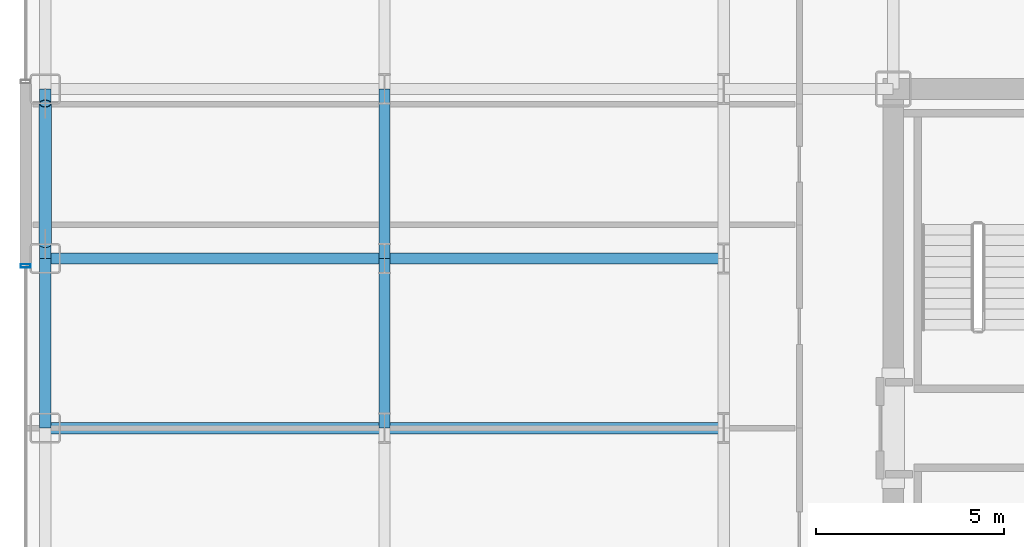
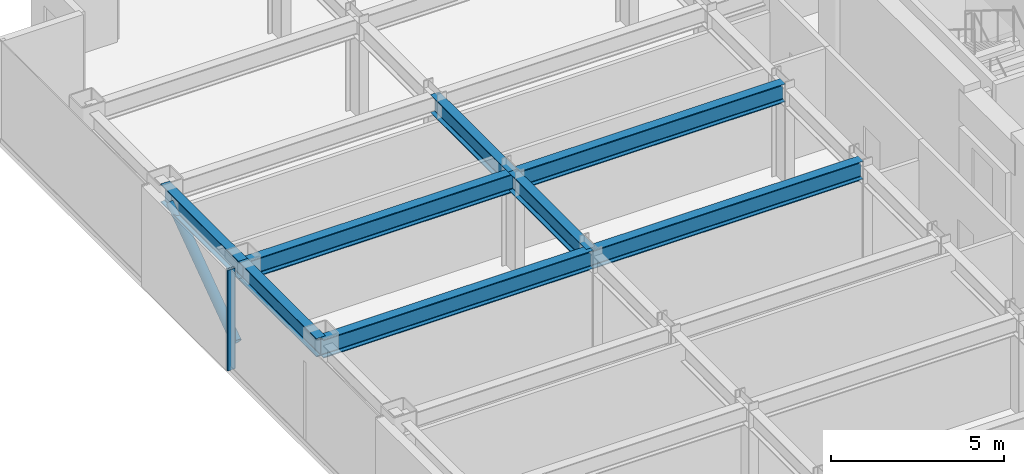
# One storey, part 7 of 27: 8 beams, 2 members, 1 element without a shape of its own.
"""IFC4 building model written with IfcOpenShell, lengths in metres."""

from ifc_helpers import new_model, si_unit, direction, frame, origin, origin_2d, place, context, subcontext, project, spatial, hollow_rectangle, hollow_circle, i_section, extrude, source, transform, mapped, material, layer, layer_set, material_profile, profile_set, type_object, element, aggregate, save


model = new_model("IFC4")

# Units and contexts
model_context = context("Model", 3, precision=1e-05, world=origin(), true_north=direction((0.0, 1.0)))
body_context = subcontext(model_context, "Body", "Model", "MODEL_VIEW")
ifc_project = project(units=[si_unit("LENGTHUNIT", "METRE"), si_unit("AREAUNIT", "SQUARE_METRE"), si_unit("VOLUMEUNIT", "CUBIC_METRE"), si_unit("PLANEANGLEUNIT", "RADIAN"), si_unit("MASSUNIT", "GRAM", prefix="KILO")], contexts=[model_context])

# Site, building, storey
site_placement = place(None, origin())
site = spatial("IfcSite", under=ifc_project, at=site_placement, CompositionType="ELEMENT")
building_placement = place(site_placement, origin())
building = spatial("IfcBuilding", under=site, at=building_placement, Name="Nefas-Gora Pilgrimage Tower", CompositionType="ELEMENT")
storey_placement = place(building_placement, frame((0.0, 0.0, 183.0)))
storey = spatial("IfcBuildingStorey", under=building, at=storey_placement, Name="L45", CompositionType="ELEMENT", Elevation=183.0)

# Beams
ifc_material_1 = material(Name="Steel S355", Category="steel")
ifc_material_profile_1 = material_profile(ifc_material_1, i_section(OverallWidth=0.300048828125, OverallDepth=0.64990234375, WebThickness=0.01611328125, FlangeThickness=0.031005859375, FilletRadius=0.027099609375, at=origin_2d()), Name="HEB 650")
ifc_profile_set_1 = profile_set([ifc_material_profile_1], Name="Steel S355")
beam_type_1 = type_object("IfcBeamType", Name="BM-SPN-HEB500", PredefinedType="SPANDREL", material=ifc_profile_set_1)
shared_shape_1 = source(origin(), body_context, "Body", "SweptSolid", [
    extrude(i_section(OverallWidth=0.300048828125, OverallDepth=0.64990234375, WebThickness=0.01611328125, FlangeThickness=0.031005859375, FilletRadius=0.027099609375, at=origin_2d()), origin(), (0.0, 0.0, 1.0), 4.5),
])
for number, where, z_axis, x_axis, name in (
    (1, (-33.75, 0.0, 3.22509765625), (0.0, 1.0, 0.0), (-1.0, 0.0, 0.0), "L45 SP-02 beam"),
    (2, (-33.75, 4.5, 3.22509765625), (0.0, 1.0, 0.0), (-1.0, 0.0, 0.0), "L45 SP-02 beam"),
):
    element("IfcBeam", number, at=place(storey_placement, frame(where, z_axis=z_axis, x_axis=x_axis)), inside=storey, type_object=beam_type_1, Name=name, PredefinedType="SPANDREL", context=body_context, shape_type="MappedRepresentation", body=[
        mapped(shared_shape_1, transform((0.0, 0.0, 0.0), x_axis=(1.0, 0.0, 0.0), y_axis=(0.0, 1.0, 0.0), z_axis=(0.0, 0.0, 1.0), scale=1.0)),
    ])
ifc_material_profile_2 = material_profile(ifc_material_1, i_section(OverallWidth=0.300048828125, OverallDepth=0.64990234375, WebThickness=0.01611328125, FlangeThickness=0.031005859375, FilletRadius=0.027099609375, at=origin_2d()), Name="HEB 650")
ifc_profile_set_2 = profile_set([ifc_material_profile_2], Name="Steel S355")
beam_type_2 = type_object("IfcBeamType", Name="BM-GIR-HEB650", PredefinedType="BEAM", material=ifc_profile_set_2)
shared_shape_2 = source(origin(), body_context, "Body", "SweptSolid", [
    extrude(i_section(OverallWidth=0.300048828125, OverallDepth=0.64990234375, WebThickness=0.01611328125, FlangeThickness=0.031005859375, FilletRadius=0.027099609375, at=origin_2d()), origin(), (0.0, 0.0, 1.0), 9.0),
])
for number, where, z_axis, x_axis, name in (
    (3, (-33.75, 0.0, 3.22509765625), (1.0, 0.0, 0.0), (0.0, 1.0, 0.0), "L45 G-03 beam"),
    (4, (-33.75, 4.5, 3.22509765625), (1.0, 0.0, 0.0), (0.0, 1.0, 0.0), "L45 G-03 beam"),
    (5, (-24.75, 0.0, 3.22509765625), (1.0, 0.0, 0.0), (0.0, 1.0, 0.0), "L45 G-03 beam"),
    (6, (-24.75, 4.5, 3.22509765625), (1.0, 0.0, 0.0), (0.0, 1.0, 0.0), "L45 G-03 beam"),
):
    element("IfcBeam", number, at=place(storey_placement, frame(where, z_axis=z_axis, x_axis=x_axis)), inside=storey, type_object=beam_type_2, Name=name, PredefinedType="BEAM", context=body_context, shape_type="MappedRepresentation", body=[
        mapped(shared_shape_2, transform((0.0, 0.0, 0.0), x_axis=(1.0, 0.0, 0.0), y_axis=(0.0, 1.0, 0.0), z_axis=(0.0, 0.0, 1.0), scale=1.0)),
    ])
shared_shape_3 = source(origin(), body_context, "Body", "SweptSolid", [
    extrude(i_section(OverallWidth=0.300048828125, OverallDepth=0.64990234375, WebThickness=0.01611328125, FlangeThickness=0.031005859375, FilletRadius=0.027099609375, at=origin_2d()), origin(), (0.0, 0.0, 1.0), 4.5),
])
for number, where, z_axis, x_axis, name in (
    (7, (-24.75, 0.0, 3.22509765625), (0.0, 1.0, 0.0), (-1.0, 0.0, 0.0), "L45 G-03 beam"),
    (8, (-24.75, 4.5, 3.22509765625), (0.0, 1.0, 0.0), (-1.0, 0.0, 0.0), "L45 G-03 beam"),
):
    element("IfcBeam", number, at=place(storey_placement, frame(where, z_axis=z_axis, x_axis=x_axis)), inside=storey, type_object=beam_type_2, Name=name, PredefinedType="BEAM", context=body_context, shape_type="MappedRepresentation", body=[
        mapped(shared_shape_3, transform((0.0, 0.0, 0.0), x_axis=(1.0, 0.0, 0.0), y_axis=(0.0, 1.0, 0.0), z_axis=(0.0, 0.0, 1.0), scale=1.0)),
    ])

# Member
ifc_material_profile_3 = material_profile(ifc_material_1, hollow_circle(Radius=0.161865234375, WallThickness=0.02001953125, at=origin_2d()), Name="CHS 323.9x20")
ifc_profile_set_3 = profile_set([ifc_material_profile_3], Name="Steel S355")
member_type_1 = type_object("IfcMemberType", Name="MEM-TUBE-324", PredefinedType="BRACE", material=ifc_profile_set_3)
shared_shape_4 = source(origin(), body_context, "Body", "SweptSolid", [
    extrude(hollow_circle(Radius=0.161865234375, WallThickness=0.02001953125, at=origin_2d()), origin(), (0.0, 0.0, 1.0), 4.579345703125),
])
member_1_placement = place(storey_placement, frame((-33.75, 4.887939453125, 0.427490234375), z_axis=(0.0, 0.813246879171, 0.581918820385), x_axis=(-1.0, 0.0, 0.0)))
element("IfcMember", 9, at=member_1_placement, inside=storey, type_object=member_type_1, Name="L45 Perimeter Tube Diagonal Brace W2", PredefinedType="BRACE", context=body_context, shape_type="MappedRepresentation", body=[
    mapped(shared_shape_4, transform((0.0, 0.0, 0.0), x_axis=(1.0, 0.0, 0.0), y_axis=(0.0, 1.0, 0.0), z_axis=(0.0, 0.0, 1.0), scale=1.0)),
])

# Curtain wall, member
ifc_material_2 = material(Name="Dark ceramic-fritted solar-control aluminium-glass curtain wall", Category="aluminium")
ifc_layer = layer(ifc_material_2, 0.219970703125)
ifc_layer_set = layer_set([ifc_layer], Name="Dark ceramic-fritted solar-control aluminium-glass curtain wall")
curtain_wall_type = type_object("IfcCurtainWallType", Name="CW-SYS-3", PredefinedType="NOTDEFINED", material=ifc_layer_set)
curtain_wall_placement = place(storey_placement, origin())
curtain_wall = element("IfcCurtainWall", 10, at=curtain_wall_placement, inside=storey, type_object=curtain_wall_type, Name="L45 Unitised Curtain Wall CW3", PredefinedType="NOTDEFINED")
ifc_material_3 = material(Name="Anodised architectural aluminium", Category="aluminium")
ifc_material_profile_4 = material_profile(ifc_material_3, hollow_rectangle(XDim=0.090087890625, YDim=0.260009765625, WallThickness=0.006103515625, InnerFilletRadius=0.006103515625, OuterFilletRadius=0.011962890625, at=origin_2d()), Name="ALU MULLION 90x260")
ifc_profile_set_4 = profile_set([ifc_material_profile_4], Name="Anodised architectural aluminium")
member_type_2 = type_object("IfcMemberType", Name="CWM-MUL-3", PredefinedType="MULLION", material=ifc_profile_set_4)
shared_shape_5 = source(origin(), body_context, "Body", "SweptSolid", [
    extrude(hollow_rectangle(XDim=0.090087890625, YDim=0.260009765625, WallThickness=0.006103515625, InnerFilletRadius=0.006103515625, OuterFilletRadius=0.011962890625, at=origin_2d()), origin(), (0.0, 0.0, 1.0), 3.550048828125),
])
member_2_placement = place(storey_placement, frame((-34.27001953125, 4.304931640625, 0.0), z_axis=(0.0, 0.0, 1.0), x_axis=(0.0, -1.0, 0.0)))
member_2 = element("IfcMember", 11, at=member_2_placement, type_object=member_type_2, Name="CW3 Mullion 1", PredefinedType="MULLION", context=body_context, shape_type="MappedRepresentation", body=[
    mapped(shared_shape_5, transform((0.0, 0.0, 0.0), x_axis=(1.0, 0.0, 0.0), y_axis=(0.0, 1.0, 0.0), z_axis=(0.0, 0.0, 1.0), scale=1.0)),
])
aggregate(curtain_wall, [member_2])

save(model, "model.ifc")
